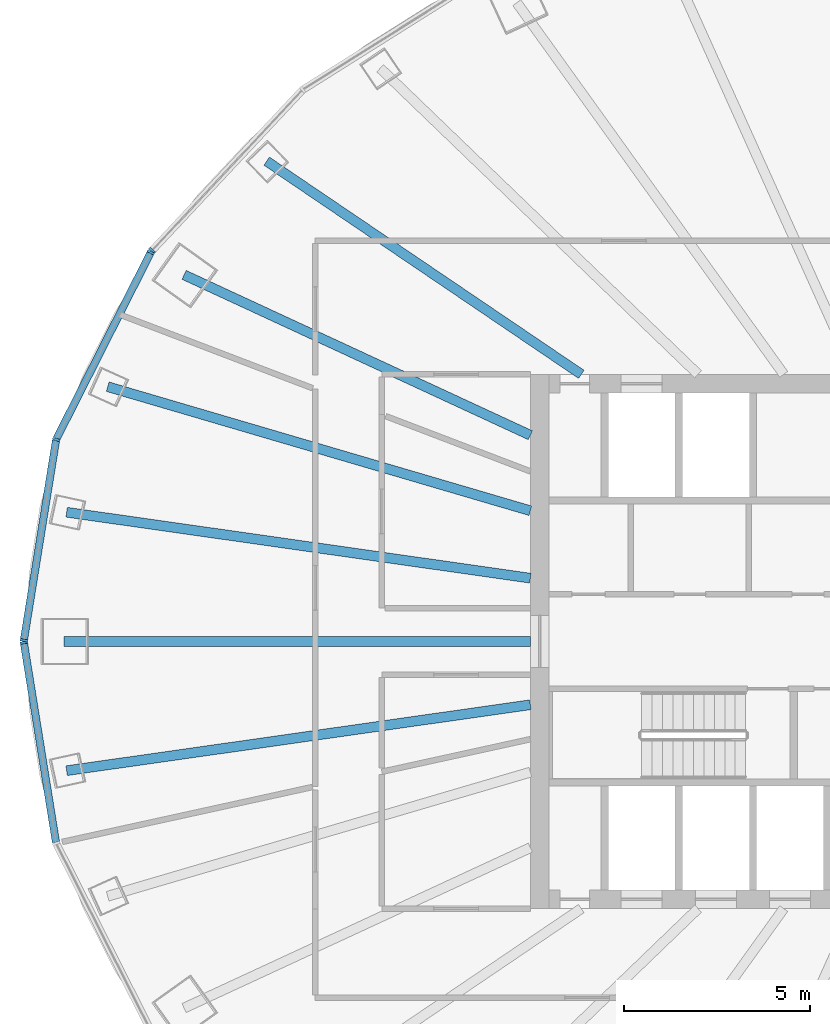
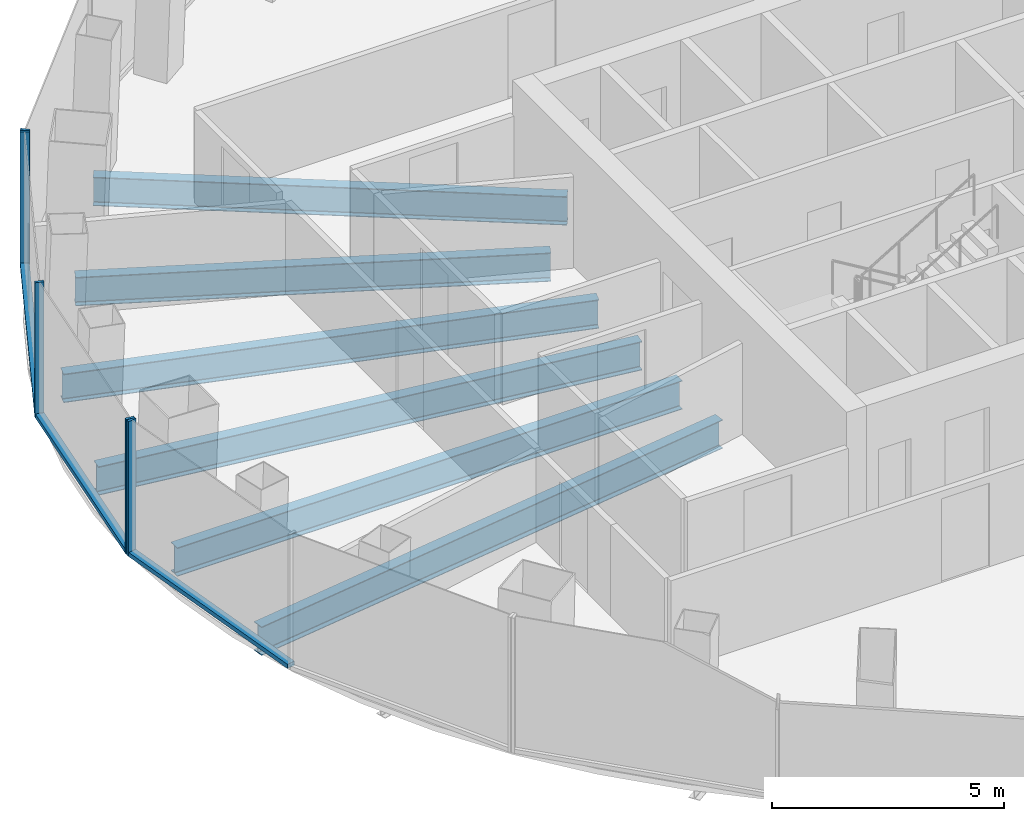
# One storey, part 3 of 12: 8 members, 6 beams, 3 elements without a shape of their own.
"""IFC4 building model written with IfcOpenShell, lengths in metres."""

import ifcopenshell
import ifcopenshell.guid

model = None  # the IFC model being written
_history = None  # IfcOwnerHistory: only IFC2X3 demands one
_inside = {}  # id of a spatial element -> (the spatial element, [elements in it])
_under = {}  # id of a project, library or spatial element -> (it, [spatial elements below it])
_declared = {}  # id of a project -> (the project, [libraries it declares])
_typed = {}  # id of a type object -> (the type object, [elements of that type])
_made_of = {}  # id of a material, layer set ... -> (it, [elements and type objects made of it])


def new_model(schema):
    """Start an empty IFC model of exactly this schema.

    Asked for "IFC4X3", IfcOpenShell would pick the latest addendum, in which some entities
    have other attributes; the version numbers below select the first issue.
    IFC2X3 requires an IfcOwnerHistory on every rooted entity: one is made here for all.
    """
    global model, _history
    if schema == "IFC4X3":
        model = ifcopenshell.file(schema_version=(4, 3, 0, 0))
    else:
        model = ifcopenshell.file(schema=schema)
    _inside.clear()
    _under.clear()
    _declared.clear()
    _typed.clear()
    _made_of.clear()
    _history = None
    if model.schema == "IFC2X3":
        org = make("IfcOrganization", Name="unknown")
        user = make(
            "IfcPersonAndOrganization",
            ThePerson=make("IfcPerson", FamilyName="unknown"),
            TheOrganization=org,
        )
        app = make(
            "IfcApplication",
            ApplicationDeveloper=org,
            Version="unknown",
            ApplicationFullName="unknown",
            ApplicationIdentifier="unknown",
        )
        _history = make(
            "IfcOwnerHistory",
            OwningUser=user,
            OwningApplication=app,
            ChangeAction="ADDED",
            CreationDate=0,
        )
    return model


def make(cls, **values):
    """One entity of the class cls with the attributes given. An attribute that is None is left unset."""
    return model.create_entity(
        cls, **{name: value for name, value in values.items() if value is not None}
    )


def rooted(cls, **values):
    """An entity with a GlobalId (a new one), such as an element, a storey or a relation."""
    return make(cls, GlobalId=ifcopenshell.guid.new(), OwnerHistory=_history, **values)


def si_unit(unit_type, name, prefix=None):
    """IfcSIUnit, for example si_unit("LENGTHUNIT", "METRE", prefix="MILLI")."""
    return make("IfcSIUnit", UnitType=unit_type, Prefix=prefix, Name=name)


def assignment(units):
    """IfcUnitAssignment: the units of a project."""
    return None if units is None else make("IfcUnitAssignment", Units=units)


def point(xyz):
    """IfcCartesianPoint."""
    return None if xyz is None else make("IfcCartesianPoint", Coordinates=xyz)


def direction(xyz):
    """IfcDirection."""
    return None if xyz is None else make("IfcDirection", DirectionRatios=xyz)


def frame(location, z_axis=None, x_axis=None):
    """IfcAxis2Placement3D, a coordinate frame: its origin and axes. An axis left out is left unset."""
    return make(
        "IfcAxis2Placement3D",
        Location=point(location),
        Axis=direction(z_axis),
        RefDirection=direction(x_axis),
    )


def frame_2d(location, x_axis=None):
    """IfcAxis2Placement2D, a coordinate frame in the plane: its origin and x axis."""
    return make(
        "IfcAxis2Placement2D", Location=point(location), RefDirection=direction(x_axis)
    )


def origin():
    """The frame at (0, 0, 0) with its axes left unset."""
    return frame((0.0, 0.0, 0.0))


def origin_2d():
    """The frame at (0, 0) in the plane with its x axis left unset."""
    return frame_2d((0.0, 0.0))


def place(relative_to, where):
    """IfcLocalPlacement: puts the frame where relative to a parent placement (None: the world)."""
    return make(
        "IfcLocalPlacement", PlacementRelTo=relative_to, RelativePlacement=where
    )


def context(
    kind, dimensions, precision=None, world=None, true_north=None, identifier=None
):
    """IfcGeometricRepresentationContext, for example the 3D "Model" context."""
    return make(
        "IfcGeometricRepresentationContext",
        ContextIdentifier=identifier,
        ContextType=kind,
        CoordinateSpaceDimension=dimensions,
        Precision=precision,
        WorldCoordinateSystem=world,
        TrueNorth=true_north,
    )


def subcontext(parent, identifier, kind, view, scale=None):
    """IfcGeometricRepresentationSubContext, for example "Body" below "Model"."""
    return make(
        "IfcGeometricRepresentationSubContext",
        ContextIdentifier=identifier,
        ContextType=kind,
        ParentContext=parent,
        TargetScale=scale,
        TargetView=view,
    )


def project(units=None, contexts=None):
    """IfcProject with its units and contexts."""
    return rooted(
        "IfcProject",
        Name="project",
        RepresentationContexts=contexts,
        UnitsInContext=assignment(units),
    )


def spatial(cls, under=None, at=None, **own):
    """A site, building, storey or space (cls), placed at a placement, below another one or the project."""
    s = rooted(cls, ObjectPlacement=at, **own)
    if under is not None:
        _under.setdefault(under.id(), (under, []))[1].append(s)
    return s


def profile(cls, at=None, kind="AREA", **sizes):
    """A parametric profile (cls). Its sizes go by their IFC names, for example OverallWidth=200.0."""
    return make(cls, ProfileType=kind, Position=at, **sizes)


def rectangle(**sizes):
    """IfcRectangleProfileDef."""
    return profile("IfcRectangleProfileDef", **sizes)


def i_section(**sizes):
    """IfcIShapeProfileDef."""
    return profile("IfcIShapeProfileDef", **sizes)


def extrude(swept, where, along, depth):
    """IfcExtrudedAreaSolid: the profile swept, set in the frame where, extruded along a direction by depth."""
    return make(
        "IfcExtrudedAreaSolid",
        SweptArea=swept,
        Position=where,
        ExtrudedDirection=direction(along),
        Depth=depth,
    )


def shape(context_of_items, identifier, shape_type, items):
    """IfcShapeRepresentation: the items that make up one representation, for example the "Body"."""
    return make(
        "IfcShapeRepresentation",
        ContextOfItems=context_of_items,
        RepresentationIdentifier=identifier,
        RepresentationType=shape_type,
        Items=items,
    )


def material(Name=None, Category=None):
    """IfcMaterial."""
    return make("IfcMaterial", Name=Name, Category=Category)


def layer(
    of_material, thickness, ventilated=None, Name=None, Category=None, Priority=None
):
    """IfcMaterialLayer: one layer of a wall or slab, of a material (None: an air gap)."""
    return make(
        "IfcMaterialLayer",
        Material=of_material,
        LayerThickness=thickness,
        IsVentilated=ventilated,
        Name=Name,
        Category=Category,
        Priority=Priority,
    )


def layer_set(layers, Name=None):
    """IfcMaterialLayerSet."""
    return make("IfcMaterialLayerSet", MaterialLayers=layers, LayerSetName=Name)


def material_profile(
    of_material, cross_section, Name=None, Category=None, Priority=None
):
    """IfcMaterialProfile: a cross section and its material."""
    return make(
        "IfcMaterialProfile",
        Name=Name,
        Material=of_material,
        Profile=cross_section,
        Priority=Priority,
        Category=Category,
    )


def profile_set(profiles, Name=None, composite=None):
    """IfcMaterialProfileSet."""
    return make(
        "IfcMaterialProfileSet",
        Name=Name,
        MaterialProfiles=profiles,
        CompositeProfile=composite,
    )


def made_of(thing, what):
    """Note that an element or type object is made of a material, layer set ...; save() writes the relation."""
    if what is not None:
        _made_of.setdefault(what.id(), (what, []))[1].append(thing)
    return thing


def type_object(cls, material=None, **own):
    """A type object (cls), such as IfcWallType, which elements share."""
    return made_of(rooted(cls, **own), material)


def element(
    cls,
    number,
    at=None,
    inside=None,
    cuts=None,
    type_object=None,
    material=None,
    context=None,
    identifier="Body",
    shape_type=None,
    held_by="IfcProductDefinitionShape",
    body=None,
    shapes=None,
    **own,
):
    """One element of the class cls, such as IfcWall. Its Tag is "e" and its number.

    at: its placement. inside: the storey or other place that contains it. cuts: it is an
    opening in that element (IfcRelVoidsElement). A single representation is given by context,
    identifier, shape_type and body (its items); several are given by shapes. held_by: the class
    of the entity that holds the representations. save() writes the other relations.
    """
    e = rooted(cls, Tag="e%d" % number, ObjectPlacement=at, **own)
    if body is not None:
        shapes = [shape(context, identifier, shape_type, body)]
    if shapes is not None:
        e.Representation = make(held_by, Representations=shapes)
    if inside is not None:
        _inside.setdefault(inside.id(), (inside, []))[1].append(e)
    if cuts is not None:
        rooted(
            "IfcRelVoidsElement", RelatingBuildingElement=cuts, RelatedOpeningElement=e
        )
    if type_object is not None:
        _typed.setdefault(type_object.id(), (type_object, []))[1].append(e)
    return made_of(e, material)


def aggregate(whole, parts):
    """IfcRelAggregates: a whole, such as a stair, and the parts it consists of."""
    return rooted("IfcRelAggregates", RelatingObject=whole, RelatedObjects=parts)


def save(model, path):
    """Write the relations noted so far, then the file.

    IfcRelAggregates (storeys below a building ...), IfcRelContainedInSpatialStructure (elements
    in a storey), IfcRelDefinesByType, IfcRelAssociatesMaterial and IfcRelDeclares: one each for
    every whole, place, type object, material and project.
    """
    for whole, parts in _under.values():
        aggregate(whole, parts)
    for where, things in _inside.values():
        rooted(
            "IfcRelContainedInSpatialStructure",
            RelatedElements=things,
            RelatingStructure=where,
        )
    for kind, things in _typed.values():
        rooted("IfcRelDefinesByType", RelatedObjects=things, RelatingType=kind)
    for what, things in _made_of.values():
        rooted("IfcRelAssociatesMaterial", RelatedObjects=things, RelatingMaterial=what)
    for by, libraries in _declared.values():
        rooted("IfcRelDeclares", RelatingContext=by, RelatedDefinitions=libraries)
    model.write(path)


model = new_model("IFC4")

# Units and contexts
model_context = context("Model", 3, precision=1e-05, world=origin(), true_north=direction((0.0, 1.0)))
body_context = subcontext(model_context, "Body", "Model", "MODEL_VIEW")
ifc_project = project(units=[si_unit("LENGTHUNIT", "METRE"), si_unit("AREAUNIT", "SQUARE_METRE"), si_unit("VOLUMEUNIT", "CUBIC_METRE"), si_unit("PLANEANGLEUNIT", "RADIAN"), si_unit("MASSUNIT", "GRAM", prefix="KILO")], contexts=[model_context])

# Site, building, storey
site_placement = place(None, origin())
site = spatial("IfcSite", under=ifc_project, at=site_placement, CompositionType="ELEMENT")
building_placement = place(site_placement, origin())
building = spatial("IfcBuilding", under=site, at=building_placement, Name="Siaravel Broadcast Tower", CompositionType="ELEMENT")
storey_placement = place(building_placement, frame((0.0, 0.0, 111.89990234375)))
storey = spatial("IfcBuildingStorey", under=building, at=storey_placement, Name="L26", CompositionType="ELEMENT", Elevation=111.89990234375)

# Beams
ifc_material_1 = material(Name="Steel S355", Category="steel")
ifc_material_profile_1 = material_profile(ifc_material_1, i_section(OverallWidth=0.26513671875, OverallDepth=0.75390625, WebThickness=0.0126953125, FlangeThickness=0.017578125, FilletRadius=0.0166015625, at=origin_2d()))
ifc_profile_set_1 = profile_set([ifc_material_profile_1], Name="Steel S355")
beam_type = type_object("IfcBeamType", Name="BM-UB 762x267x147", PredefinedType="BEAM", material=ifc_profile_set_1)
beam_1_placement = place(storey_placement, frame((-19.10498046875, 12.94287109375, -0.52685546875), z_axis=(0.827900476, -0.560875033, 0.0), x_axis=(0.560875033, 0.827900476, 0.0)))
element("IfcBeam", 1, at=beam_1_placement, inside=storey, type_object=beam_type, Name="Radial beam RB15", PredefinedType="BEAM", context=body_context, shape_type="SweptSolid", body=[
    extrude(i_section(OverallWidth=0.26513671875, OverallDepth=0.75390625, WebThickness=0.0126953125, FlangeThickness=0.017578125, FilletRadius=0.0166015625, at=origin_2d()), origin(), (0.0, 0.0, 1.0), 10.2392578125),
])
beam_2_placement = place(storey_placement, frame((-21.331298828125, 9.87939453125, -0.52685546875), z_axis=(0.9074027, -0.420262227, 0.0), x_axis=(0.420262227, 0.9074027, 0.0)))
element("IfcBeam", 2, at=beam_2_placement, inside=storey, type_object=beam_type, Name="Radial beam RB16", PredefinedType="BEAM", context=body_context, shape_type="SweptSolid", body=[
    extrude(i_section(OverallWidth=0.26513671875, OverallDepth=0.75390625, WebThickness=0.0126953125, FlangeThickness=0.017578125, FilletRadius=0.0166015625, at=origin_2d()), origin(), (0.0, 0.0, 1.0), 10.283447265625),
])
beam_3_placement = place(storey_placement, frame((-23.39013671875, 6.866455078125, -0.52685546875), z_axis=(0.959508819, -0.281678587, 0.0), x_axis=(0.281678587, 0.959508819, 0.0)))
element("IfcBeam", 3, at=beam_3_placement, inside=storey, type_object=beam_type, Name="Radial beam RB17", PredefinedType="BEAM", context=body_context, shape_type="SweptSolid", body=[
    extrude(i_section(OverallWidth=0.26513671875, OverallDepth=0.75390625, WebThickness=0.0126953125, FlangeThickness=0.017578125, FilletRadius=0.0166015625, at=origin_2d()), origin(), (0.0, 0.0, 1.0), 11.870849609375),
])
beam_4_placement = place(storey_placement, frame((-24.497314453125, 3.48291015625, -0.52685546875), z_axis=(0.990043272, -0.140763346, 0.0), x_axis=(0.140763346, 0.990043272, 0.0)))
element("IfcBeam", 4, at=beam_4_placement, inside=storey, type_object=beam_type, Name="Radial beam RB18", PredefinedType="BEAM", context=body_context, shape_type="SweptSolid", body=[
    extrude(i_section(OverallWidth=0.26513671875, OverallDepth=0.75390625, WebThickness=0.0126953125, FlangeThickness=0.017578125, FilletRadius=0.0166015625, at=origin_2d()), origin(), (0.0, 0.0, 1.0), 12.623046875),
])
beam_5_placement = place(storey_placement, frame((-24.5693359375, 0.0, -0.52685546875), z_axis=(1.0, 0.0, 0.0), x_axis=(0.0, 1.0, 0.0)))
element("IfcBeam", 5, at=beam_5_placement, inside=storey, type_object=beam_type, Name="Radial beam RB19", PredefinedType="BEAM", context=body_context, shape_type="SweptSolid", body=[
    extrude(i_section(OverallWidth=0.26513671875, OverallDepth=0.75390625, WebThickness=0.0126953125, FlangeThickness=0.017578125, FilletRadius=0.0166015625, at=origin_2d()), origin(), (0.0, 0.0, 1.0), 12.5693359375),
])
beam_6_placement = place(storey_placement, frame((-24.497314453125, -3.48291015625, -0.52685546875), z_axis=(0.990043272, 0.140763346, 0.0), x_axis=(-0.140763346, 0.990043272, 0.0)))
element("IfcBeam", 6, at=beam_6_placement, inside=storey, type_object=beam_type, Name="Radial beam RB20", PredefinedType="BEAM", context=body_context, shape_type="SweptSolid", body=[
    extrude(i_section(OverallWidth=0.26513671875, OverallDepth=0.75390625, WebThickness=0.0126953125, FlangeThickness=0.017578125, FilletRadius=0.0166015625, at=origin_2d()), origin(), (0.0, 0.0, 1.0), 12.623046875),
])

# Curtain wall, member
ifc_material_2 = material(Name="Aluminium 6063-T6", Category="aluminium")
ifc_layer = layer(ifc_material_2, 0.199951171875)
ifc_layer_set = layer_set([ifc_layer], Name="Aluminium 6063-T6")
curtain_wall_type = type_object("IfcCurtainWallType", Name="Unitised curtain wall, zone 2", PredefinedType="NOTDEFINED", material=ifc_layer_set)
curtain_wall_1_placement = place(storey_placement, origin())
curtain_wall_1 = element("IfcCurtainWall", 7, at=curtain_wall_1_placement, inside=storey, type_object=curtain_wall_type, Name="L26 Unitised curtain wall, zone 2 05", PredefinedType="NOTDEFINED")
ifc_material_profile_2 = material_profile(ifc_material_2, rectangle(XDim=0.199951171875, YDim=0.06494140625, at=origin_2d()))
ifc_profile_set_2 = profile_set([ifc_material_profile_2], Name="Aluminium 6063-T6")
member_type_1 = type_object("IfcMemberType", Name="CW-Z2 mullion", PredefinedType="MULLION", material=ifc_profile_set_2)
member_1_placement = place(storey_placement, frame((-22.193603515625, 10.539306640625, 0.0), z_axis=(0.0, 0.0, 1.0), x_axis=(0.729804977, -0.683655392, 0.0)))
member_1 = element("IfcMember", 8, at=member_1_placement, type_object=member_type_1, Name="CW-Z2 mullion 3", PredefinedType="MULLION", context=body_context, shape_type="SweptSolid", body=[
    extrude(rectangle(XDim=0.199951171875, YDim=0.06494140625, at=origin_2d()), origin(), (0.0, 0.0, 1.0), 3.550048828125),
])
aggregate(curtain_wall_1, [member_1])

# Curtain wall, members
curtain_wall_2_placement = place(storey_placement, origin())
curtain_wall_2 = element("IfcCurtainWall", 9, at=curtain_wall_2_placement, inside=storey, type_object=curtain_wall_type, Name="L26 Unitised curtain wall, zone 2 06", PredefinedType="NOTDEFINED")
member_2_placement = place(storey_placement, frame((-22.23046875, 10.486572265625, 0.0), z_axis=(0.0, 0.0, 1.0), x_axis=(0.892391899, -0.451261231, 0.0)))
member_2 = element("IfcMember", 10, at=member_2_placement, type_object=member_type_1, Name="CW-Z2 mullion 1", PredefinedType="MULLION", context=body_context, shape_type="SweptSolid", body=[
    extrude(rectangle(XDim=0.199951171875, YDim=0.06494140625, at=origin_2d()), origin(), (0.0, 0.0, 1.0), 3.550048828125),
])
member_3_placement = place(storey_placement, frame((-24.7802734375, 5.44384765625, 0.0), z_axis=(0.0, 0.0, 1.0), x_axis=(0.951177123, -0.308645559, 0.0)))
member_3 = element("IfcMember", 11, at=member_3_placement, type_object=member_type_1, Name="CW-Z2 mullion 2", PredefinedType="MULLION", context=body_context, shape_type="SweptSolid", body=[
    extrude(rectangle(XDim=0.199951171875, YDim=0.06494140625, at=origin_2d()), origin(), (0.0, 0.0, 1.0), 3.550048828125),
])
member_4_placement = place(storey_placement, frame((-25.650146484375, 0.031982421875, 0.0), z_axis=(0.0, 0.0, 1.0), x_axis=(0.987329151, -0.158685687, 0.0)))
member_4 = element("IfcMember", 12, at=member_4_placement, type_object=member_type_1, Name="CW-Z2 mullion 3", PredefinedType="MULLION", context=body_context, shape_type="SweptSolid", body=[
    extrude(rectangle(XDim=0.199951171875, YDim=0.06494140625, at=origin_2d()), origin(), (0.0, 0.0, 1.0), 3.550048828125),
])

# Curtain wall, member
curtain_wall_3_placement = place(storey_placement, origin())
curtain_wall_3 = element("IfcCurtainWall", 13, at=curtain_wall_3_placement, inside=storey, type_object=curtain_wall_type, Name="L26 Unitised curtain wall, zone 2 07", PredefinedType="NOTDEFINED")
member_5_placement = place(storey_placement, frame((-25.650146484375, -0.031982421875, 0.0), z_axis=(0.0, 0.0, 1.0), x_axis=(0.987329151, 0.158685687, 0.0)))
member_5 = element("IfcMember", 14, at=member_5_placement, type_object=member_type_1, Name="CW-Z2 mullion 1", PredefinedType="MULLION", context=body_context, shape_type="SweptSolid", body=[
    extrude(rectangle(XDim=0.199951171875, YDim=0.06494140625, at=origin_2d()), origin(), (0.0, 0.0, 1.0), 3.550048828125),
])

# Member
ifc_material_profile_3 = material_profile(ifc_material_2, rectangle(XDim=0.199951171875, YDim=0.110107421875, at=origin_2d()))
ifc_profile_set_3 = profile_set([ifc_material_profile_3], Name="Aluminium 6063-T6")
member_type_2 = type_object("IfcMemberType", Name="CW-Z2 transom", PredefinedType="USERDEFINED", material=ifc_profile_set_3)
member_6_placement = place(storey_placement, frame((-22.2451171875, 10.45751953125, 0.05517578125), z_axis=(-0.451247712, -0.892398735, 0.0), x_axis=(0.892398735, -0.451247712, 0.0)))
member_6 = element("IfcMember", 15, at=member_6_placement, type_object=member_type_2, Name="CW-Z2 transom 1", ObjectType="TRANSOM", PredefinedType="USERDEFINED", context=body_context, shape_type="SweptSolid", body=[
    extrude(rectangle(XDim=0.199951171875, YDim=0.110107421875, at=origin_2d()), origin(), (0.0, 0.0, 1.0), 5.585693359375),
])

member_7_placement = place(storey_placement, frame((-24.785400390625, 5.411865234375, 0.05517578125), z_axis=(-0.158709481, -0.987325327, 0.0), x_axis=(0.987325327, -0.158709481, 0.0)))
member_7 = element("IfcMember", 16, at=member_7_placement, type_object=member_type_2, Name="CW-Z2 transom 2", ObjectType="TRANSOM", PredefinedType="USERDEFINED", context=body_context, shape_type="SweptSolid", body=[
    extrude(rectangle(XDim=0.199951171875, YDim=0.110107421875, at=origin_2d()), origin(), (0.0, 0.0, 1.0), 5.416259765625),
])

aggregate(curtain_wall_2, [member_2, member_3, member_4, member_6, member_7])

member_8_placement = place(storey_placement, frame((-25.64501953125, -0.064208984375, 0.05517578125), z_axis=(0.158709481, -0.987325327, 0.0), x_axis=(0.987325327, 0.158709481, 0.0)))
member_8 = element("IfcMember", 17, at=member_8_placement, type_object=member_type_2, Name="CW-Z2 transom 1", ObjectType="TRANSOM", PredefinedType="USERDEFINED", context=body_context, shape_type="SweptSolid", body=[
    extrude(rectangle(XDim=0.199951171875, YDim=0.110107421875, at=origin_2d()), origin(), (0.0, 0.0, 1.0), 5.416259765625),
])

aggregate(curtain_wall_3, [member_5, member_8])

save(model, "model.ifc")
